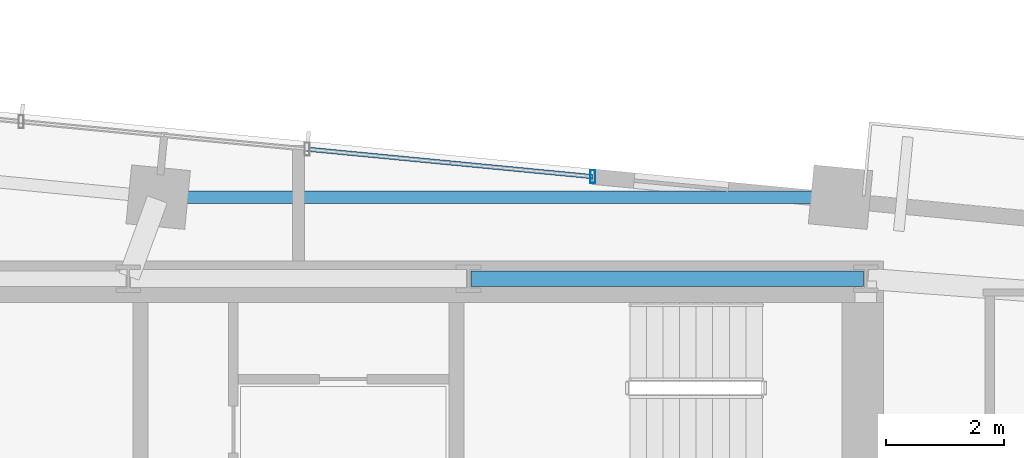
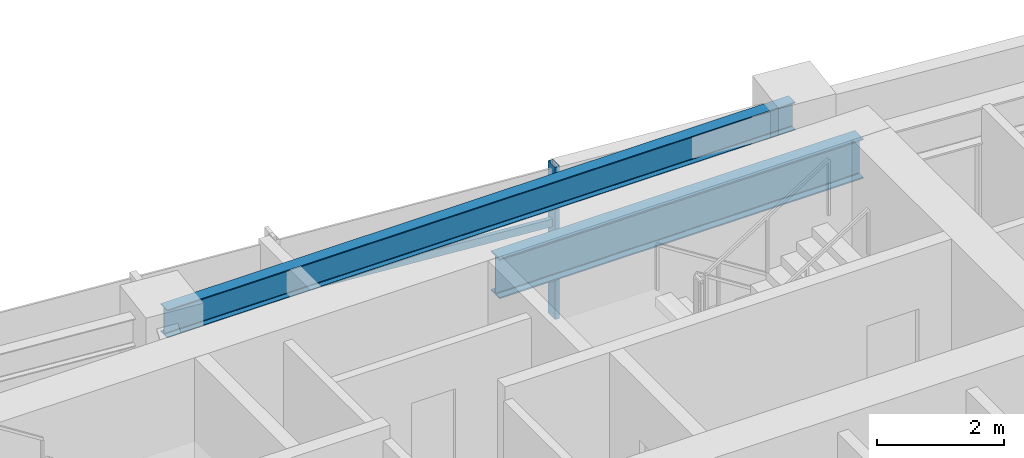
# One storey, part 11 of 19: 2 beams, 2 members, 1 element without a shape of its own.
"""IFC4 building model written with IfcOpenShell, lengths in metres."""

from ifc_helpers import new_model, si_unit, direction, frame, origin, origin_2d, place, context, subcontext, project, spatial, hollow_rectangle, i_section, extrude, source, transform, mapped, material, material_profile, profile_set, type_object, type_shapes, element, aggregate, save


model = new_model("IFC4")

# Units and contexts
model_context = context("Model", 3, precision=1e-05, world=origin(), true_north=direction((0.0, 1.0)))
body_context = subcontext(model_context, "Body", "Model", "MODEL_VIEW")
ifc_project = project(units=[si_unit("LENGTHUNIT", "METRE"), si_unit("AREAUNIT", "SQUARE_METRE"), si_unit("VOLUMEUNIT", "CUBIC_METRE"), si_unit("PLANEANGLEUNIT", "RADIAN"), si_unit("MASSUNIT", "GRAM", prefix="KILO")], contexts=[model_context])

# Site, building, storey
site_placement = place(None, origin())
site = spatial("IfcSite", under=ifc_project, at=site_placement, CompositionType="ELEMENT")
building_placement = place(site_placement, origin())
building = spatial("IfcBuilding", under=site, at=building_placement, Name="Astriad Promenade Condominiums", CompositionType="ELEMENT")
storey_placement = place(building_placement, frame((0.0, 0.0, 143.800048828125)))
storey = spatial("IfcBuildingStorey", under=building, at=storey_placement, Name="L41", CompositionType="ELEMENT", Elevation=143.800048828125)

# Beams
ifc_material_1 = material(Name="Steel ASTM A992 Grade 50", Category="steel")
ifc_material_profile_1 = material_profile(ifc_material_1, i_section(OverallWidth=0.267822265625, OverallDepth=0.76953125, WebThickness=0.015625, FlangeThickness=0.025390625, FilletRadius=0.021484375, at=origin_2d()), Name="W30X132")
ifc_profile_set_1 = profile_set([ifc_material_profile_1], Name="Steel ASTM A992 Grade 50")
beam_type_1 = type_object("IfcBeamType", Name="STEEL FLOOR GIRDER W30X132", PredefinedType="BEAM", material=ifc_profile_set_1)
shared_shape_1 = source(origin(), body_context, "Body", "SweptSolid", [
    extrude(i_section(OverallWidth=0.267822265625, OverallDepth=0.76953125, WebThickness=0.015625, FlangeThickness=0.025390625, FilletRadius=0.021484375, at=origin_2d()), origin(), (0.0, 0.0, 1.0), 6.64013671875),
])
type_shapes(beam_type_1, [shared_shape_1])
beam_1_placement = place(storey_placement, frame((38.919921875, 24.0, 2.55517578125), z_axis=(1.0, 0.0, 0.0), x_axis=(0.0, 1.0, 0.0)))
element("IfcBeam", 1, at=beam_1_placement, inside=storey, type_object=beam_type_1, Name="Core Ring Beam CG-N3-L41", PredefinedType="BEAM", context=body_context, shape_type="MappedRepresentation", body=[
    mapped(shared_shape_1, transform((0.0, 0.0, 0.0), scale=1.0)),
])
ifc_material_profile_2 = material_profile(ifc_material_1, i_section(OverallWidth=0.210693359375, OverallDepth=0.53955078125, WebThickness=0.01171875, FlangeThickness=0.018798828125, FilletRadius=0.0166015625, at=origin_2d()), Name="W21X73")
ifc_profile_set_2 = profile_set([ifc_material_profile_2], Name="Steel ASTM A992 Grade 50")
beam_type_2 = type_object("IfcBeamType", Name="STEEL SPANDREL BEAM W21X73", PredefinedType="SPANDREL", material=ifc_profile_set_2)
shared_shape_2 = source(origin(), body_context, "Body", "SweptSolid", [
    extrude(i_section(OverallWidth=0.210693359375, OverallDepth=0.53955078125, WebThickness=0.01171875, FlangeThickness=0.018798828125, FilletRadius=0.0166015625, at=origin_2d()), origin(), (0.0, 0.0, 1.0), 11.466552734375),
])
type_shapes(beam_type_2, [shared_shape_2])
beam_2_placement = place(storey_placement, frame((45.1328125, 25.3798828125, 2.670166015625), z_axis=(-0.999999999093, 4.258309e-05, 0.0), x_axis=(-4.258309e-05, -0.999999999093, 0.0)))
element("IfcBeam", 2, at=beam_2_placement, inside=storey, type_object=beam_type_2, Name="Perimeter Spandrel Beam SP-N3-L41", PredefinedType="SPANDREL", context=body_context, shape_type="MappedRepresentation", body=[
    mapped(shared_shape_2, transform((0.0, 0.0, 0.0), scale=1.0)),
])

# Curtain wall, members
ifc_material_2 = material(Name="Anodised aluminium Black Dark Glass Unitised", Category="aluminium")
curtain_wall_type = type_object("IfcCurtainWallType", Name="CW-B34-DARK", PredefinedType="USERDEFINED", material=ifc_material_2)
curtain_wall_placement = place(storey_placement, origin())
curtain_wall = element("IfcCurtainWall", 3, at=curtain_wall_placement, inside=storey, type_object=curtain_wall_type, Name="CW-L41-N", ObjectType="UNITISED_CURTAIN_WALL", PredefinedType="USERDEFINED")
ifc_material_3 = material(Name="Anodised aluminium 6063-T6 Black", Category="aluminium")
ifc_material_profile_3 = material_profile(ifc_material_3, hollow_rectangle(XDim=0.0849609375, YDim=0.219970703125, WallThickness=0.0048828125, at=origin_2d()), Name="ALU-MUL-85X220")
ifc_profile_set_3 = profile_set([ifc_material_profile_3], Name="Anodised aluminium 6063-T6 Black")
member_type_1 = type_object("IfcMemberType", Name="MUL-ALU-MUL-85X220", PredefinedType="MULLION", material=ifc_profile_set_3)
shared_shape_3 = source(origin(), body_context, "Body", "SweptSolid", [
    extrude(hollow_rectangle(XDim=0.0849609375, YDim=0.219970703125, WallThickness=0.0048828125, at=origin_2d()), origin(), (0.0, 0.0, 1.0), 2.93994140625),
])
type_shapes(member_type_1, [shared_shape_3])
member_1_placement = place(storey_placement, frame((40.9833984375, 25.726806640625, 0.0), z_axis=(0.0, 0.0, 1.0), x_axis=(1.0, 0.0, 0.0)))
member_1 = element("IfcMember", 4, at=member_1_placement, type_object=member_type_1, Name="CW-L41-N-MUL-03", PredefinedType="MULLION", context=body_context, shape_type="MappedRepresentation", body=[
    mapped(shared_shape_3, transform((0.0, 0.0, 0.0), scale=1.0)),
])
ifc_material_profile_4 = material_profile(ifc_material_3, hollow_rectangle(XDim=0.074951171875, YDim=0.14990234375, WallThickness=0.004150390625, at=origin_2d()), Name="ALU-TRN-75X150")
ifc_profile_set_4 = profile_set([ifc_material_profile_4], Name="Anodised aluminium 6063-T6 Black")
member_type_2 = type_object("IfcMemberType", Name="TRN-ALU-TRN-75X150", PredefinedType="USERDEFINED", material=ifc_profile_set_4)
shared_shape_4 = source(origin(), body_context, "Body", "SweptSolid", [
    extrude(hollow_rectangle(XDim=0.074951171875, YDim=0.14990234375, WallThickness=0.004150390625, at=origin_2d()), origin(), (0.0, 0.0, 1.0), 4.860107421875),
])
type_shapes(member_type_2, [shared_shape_4])
member_2_placement = place(storey_placement, frame((36.145751953125, 26.1923828125, 1.82275390625), z_axis=(0.995400834012, -0.095797597298, 0.0), x_axis=(0.095797597298, 0.995400834012, 0.0)))
member_2 = element("IfcMember", 5, at=member_2_placement, type_object=member_type_2, Name="CW-L41-N-TRN-02-0", ObjectType="TRANSOM", PredefinedType="USERDEFINED", context=body_context, shape_type="MappedRepresentation", body=[
    mapped(shared_shape_4, transform((0.0, 0.0, 0.0), scale=1.0)),
])
aggregate(curtain_wall, [member_1, member_2])

save(model, "model.ifc")
